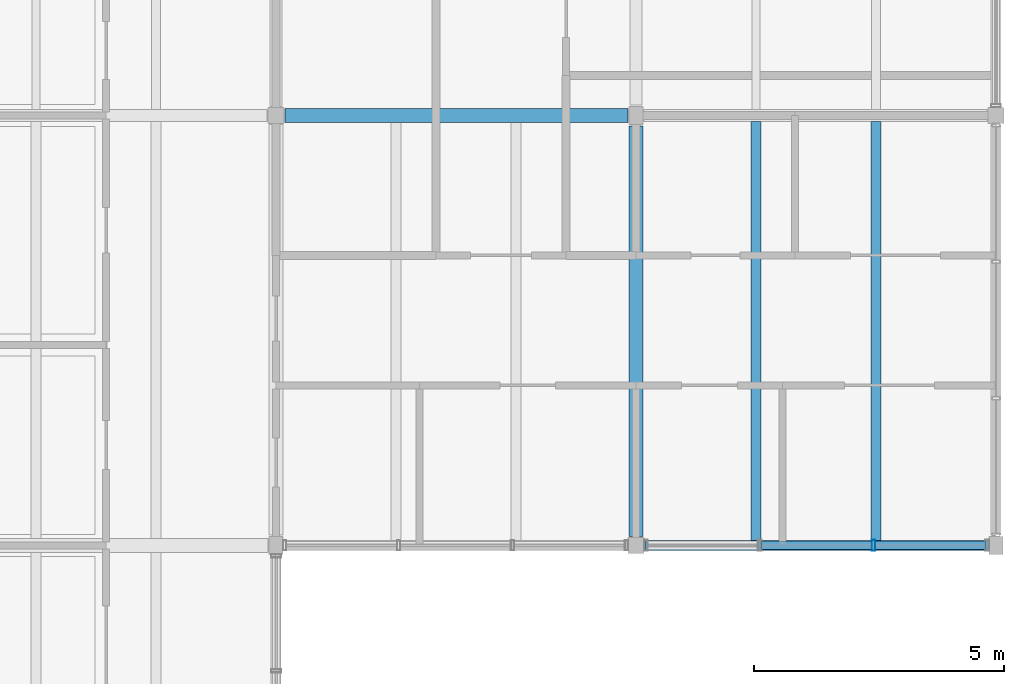
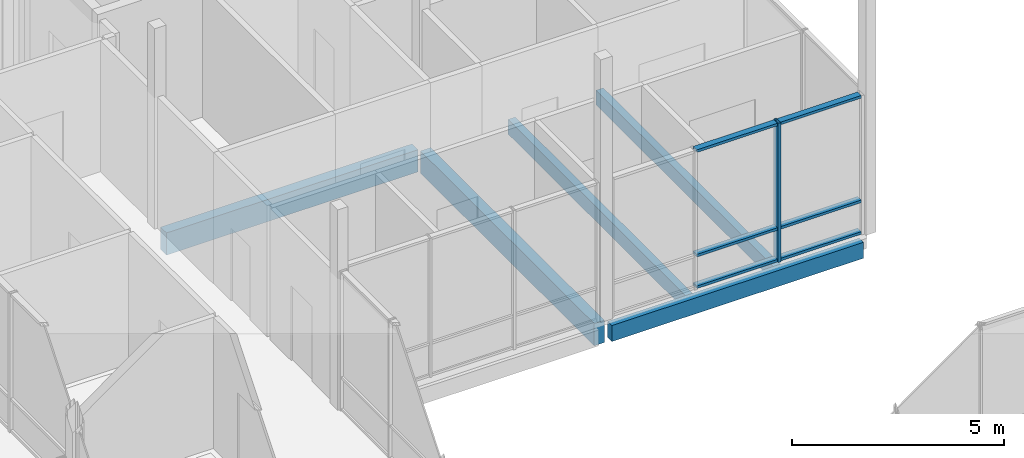
# One storey, part 63 of 115: 7 members, 5 beams, 1 element without a shape of its own.
"""IFC4 building model written with IfcOpenShell, lengths in metres."""

from ifc_helpers import new_model, si_unit, direction, frame, origin, origin_2d, place, context, subcontext, project, spatial, rectangle, hollow_rectangle, extrude, material, material_profile, profile_set, type_object, element, aggregate, save


model = new_model("IFC4")

# Units and contexts
model_context = context("Model", 3, precision=1e-05, world=origin(), true_north=direction((0.0, 1.0)))
body_context = subcontext(model_context, "Body", "Model", "MODEL_VIEW")
ifc_project = project(units=[si_unit("LENGTHUNIT", "METRE"), si_unit("AREAUNIT", "SQUARE_METRE"), si_unit("VOLUMEUNIT", "CUBIC_METRE"), si_unit("PLANEANGLEUNIT", "RADIAN"), si_unit("MASSUNIT", "GRAM", prefix="KILO")], contexts=[model_context])

# Site, building, storey
site_placement = place(None, origin())
site = spatial("IfcSite", under=ifc_project, at=site_placement, CompositionType="ELEMENT")
building_placement = place(site_placement, origin())
building = spatial("IfcBuilding", under=site, at=building_placement, Name="Hawrajan Terrace Health Centre", CompositionType="ELEMENT")
storey_placement = place(building_placement, frame((0.0, 0.0, 9.0)))
storey = spatial("IfcBuildingStorey", under=building, at=storey_placement, Name="L02", CompositionType="ELEMENT", Elevation=9.0)

# Curtain wall, members
ifc_material_1 = material(Name="Anodized bronze aluminium and low-E solar glazing", Category="aluminium")
curtain_wall_type = type_object("IfcCurtainWallType", Name="CW_Hall_SeriesD2", PredefinedType="USERDEFINED", material=ifc_material_1)
curtain_wall_placement = place(storey_placement, origin())
curtain_wall = element("IfcCurtainWall", 1, at=curtain_wall_placement, inside=storey, type_object=curtain_wall_type, Name="Curtain wall CW-L02-155", ObjectType="UNITISED CURTAIN WALL", PredefinedType="USERDEFINED")
ifc_material_2 = material(Name="Anodized bronze aluminium 6063-T6", Category="aluminium")
ifc_material_profile_1 = material_profile(ifc_material_2, hollow_rectangle(XDim=0.074951171875, YDim=0.219970703125, WallThickness=0.0048828125, at=origin_2d()), Name="CW MUL 75x220")
ifc_profile_set_1 = profile_set([ifc_material_profile_1], Name="Anodized bronze aluminium 6063-T6")
member_type_1 = type_object("IfcMemberType", Name="CWMullion_75x220", PredefinedType="MULLION", material=ifc_profile_set_1)
member_1_placement = place(storey_placement, frame((162.947509765625, 36.800048828125, -0.0048828125), z_axis=(0.0, 0.0, 1.0), x_axis=(1.0, 0.0, 0.0)))
member_1 = element("IfcMember", 2, at=member_1_placement, type_object=member_type_1, Name="Mullion CW-L02-155-M3", PredefinedType="MULLION", context=body_context, shape_type="SweptSolid", body=[
    extrude(hollow_rectangle(XDim=0.074951171875, YDim=0.219970703125, WallThickness=0.0048828125, at=origin_2d()), origin(), (0.0, 0.0, 1.0), 4.009765625),
])
ifc_material_profile_2 = material_profile(ifc_material_2, hollow_rectangle(XDim=0.074951171875, YDim=0.169921875, WallThickness=0.00439453125, at=origin_2d()), Name="CW TRN 75x170")
ifc_profile_set_2 = profile_set([ifc_material_profile_2], Name="Anodized bronze aluminium 6063-T6")
member_type_2 = type_object("IfcMemberType", Name="CWTransom_75x170", PredefinedType="USERDEFINED", material=ifc_profile_set_2)
member_2_placement = place(storey_placement, frame((160.7041015625, 36.800048828125, 0.03759765625), z_axis=(1.0, 0.0, 0.0), x_axis=(0.0, 0.0, 1.0)))
member_2 = element("IfcMember", 3, at=member_2_placement, type_object=member_type_2, Name="Transom CW-L02-155-T2-1", ObjectType="TRANSOM", PredefinedType="USERDEFINED", context=body_context, shape_type="SweptSolid", body=[
    extrude(hollow_rectangle(XDim=0.074951171875, YDim=0.169921875, WallThickness=0.00439453125, at=origin_2d()), origin(), (0.0, 0.0, 1.0), 2.2119140625),
])
member_3_placement = place(storey_placement, frame((160.7041015625, 36.800048828125, 0.949951171875), z_axis=(1.0, 0.0, 0.0), x_axis=(0.0, 0.0, 1.0)))
member_3 = element("IfcMember", 4, at=member_3_placement, type_object=member_type_2, Name="Transom CW-L02-155-T2-2", ObjectType="TRANSOM", PredefinedType="USERDEFINED", context=body_context, shape_type="SweptSolid", body=[
    extrude(hollow_rectangle(XDim=0.074951171875, YDim=0.169921875, WallThickness=0.00439453125, at=origin_2d()), origin(), (0.0, 0.0, 1.0), 2.2119140625),
])
member_4_placement = place(storey_placement, frame((160.7041015625, 36.800048828125, 3.96240234375), z_axis=(1.0, 0.0, 0.0), x_axis=(0.0, 0.0, 1.0)))
member_4 = element("IfcMember", 5, at=member_4_placement, type_object=member_type_2, Name="Transom CW-L02-155-T2-3", ObjectType="TRANSOM", PredefinedType="USERDEFINED", context=body_context, shape_type="SweptSolid", body=[
    extrude(hollow_rectangle(XDim=0.074951171875, YDim=0.169921875, WallThickness=0.00439453125, at=origin_2d()), origin(), (0.0, 0.0, 1.0), 2.2119140625),
])
member_5_placement = place(storey_placement, frame((162.97900390625, 36.800048828125, 0.03759765625), z_axis=(1.0, 0.0, 0.0), x_axis=(0.0, 0.0, 1.0)))
member_5 = element("IfcMember", 6, at=member_5_placement, type_object=member_type_2, Name="Transom CW-L02-155-T3-1", ObjectType="TRANSOM", PredefinedType="USERDEFINED", context=body_context, shape_type="SweptSolid", body=[
    extrude(hollow_rectangle(XDim=0.074951171875, YDim=0.169921875, WallThickness=0.00439453125, at=origin_2d()), origin(), (0.0, 0.0, 1.0), 2.2119140625),
])
member_6_placement = place(storey_placement, frame((162.97900390625, 36.800048828125, 0.949951171875), z_axis=(1.0, 0.0, 0.0), x_axis=(0.0, 0.0, 1.0)))
member_6 = element("IfcMember", 7, at=member_6_placement, type_object=member_type_2, Name="Transom CW-L02-155-T3-2", ObjectType="TRANSOM", PredefinedType="USERDEFINED", context=body_context, shape_type="SweptSolid", body=[
    extrude(hollow_rectangle(XDim=0.074951171875, YDim=0.169921875, WallThickness=0.00439453125, at=origin_2d()), origin(), (0.0, 0.0, 1.0), 2.2119140625),
])
member_7_placement = place(storey_placement, frame((162.97900390625, 36.800048828125, 3.96240234375), z_axis=(1.0, 0.0, 0.0), x_axis=(0.0, 0.0, 1.0)))
member_7 = element("IfcMember", 8, at=member_7_placement, type_object=member_type_2, Name="Transom CW-L02-155-T3-3", ObjectType="TRANSOM", PredefinedType="USERDEFINED", context=body_context, shape_type="SweptSolid", body=[
    extrude(hollow_rectangle(XDim=0.074951171875, YDim=0.169921875, WallThickness=0.00439453125, at=origin_2d()), origin(), (0.0, 0.0, 1.0), 2.2119140625),
])
aggregate(curtain_wall, [member_1, member_2, member_3, member_4, member_5, member_6, member_7])

# Beams
ifc_material_3 = material(Name="Glulam GL32h", Category="wood")
ifc_material_profile_3 = material_profile(ifc_material_3, rectangle(XDim=0.280029296875, YDim=0.639892578125, at=origin_2d()), Name="GL BM 280x640")
ifc_profile_set_3 = profile_set([ifc_material_profile_3], Name="Glulam GL32h")
beam_type_1 = type_object("IfcBeamType", Name="GlulamGirder_280x640", PredefinedType="BEAM", material=ifc_profile_set_3)
beam_1_placement = place(storey_placement, frame((151.179931640625, 45.39990234375, -0.56005859375), z_axis=(1.0, 0.0, 0.0), x_axis=(0.0, 1.0, 0.0)))
element("IfcBeam", 9, at=beam_1_placement, inside=storey, type_object=beam_type_1, Name="Beam BM-X-L02-E-20-Y6", PredefinedType="BEAM", context=body_context, shape_type="SweptSolid", body=[
    extrude(rectangle(XDim=0.280029296875, YDim=0.639892578125, at=origin_2d()), origin(), (0.0, 0.0, 1.0), 6.860107421875),
])
beam_2_placement = place(storey_placement, frame((158.199951171875, 36.97998046875, -0.56005859375), z_axis=(0.0, 1.0, 0.0), x_axis=(-1.0, 0.0, 0.0)))
element("IfcBeam", 10, at=beam_2_placement, inside=storey, type_object=beam_type_1, Name="Beam BM-Y-L02-E-X21-5", PredefinedType="BEAM", context=body_context, shape_type="SweptSolid", body=[
    extrude(rectangle(XDim=0.280029296875, YDim=0.639892578125, at=origin_2d()), origin(), (0.0, 0.0, 1.0), 8.2099609375),
])
ifc_material_4 = material(Name="Glulam GL28h", Category="wood")
ifc_material_profile_4 = material_profile(ifc_material_4, rectangle(XDim=0.199951171875, YDim=0.419921875, at=origin_2d()), Name="GL JST 200x420")
ifc_profile_set_4 = profile_set([ifc_material_profile_4], Name="Glulam GL28h")
beam_type_2 = type_object("IfcBeamType", Name="GlulamJoist_200x420", PredefinedType="JOIST", material=ifc_profile_set_4)
for number, where, z_axis, x_axis, name in (
    (11, (160.60009765625, 36.89990234375, -0.449951171875), (0.0, 1.0, 0.0), (-1.0, 0.0, 0.0), "Secondary joist JST-L02-E-21-5-1"),
    (12, (163.0, 36.89990234375, -0.449951171875), (0.0, 1.0, 0.0), (-1.0, 0.0, 0.0), "Secondary joist JST-L02-E-21-5-2"),
):
    element("IfcBeam", number, at=place(storey_placement, frame(where, z_axis=z_axis, x_axis=x_axis)), inside=storey, type_object=beam_type_2, Name=name, PredefinedType="JOIST", context=body_context, shape_type="SweptSolid", body=[
        extrude(rectangle(XDim=0.199951171875, YDim=0.419921875, at=origin_2d()), origin(), (0.0, 0.0, 1.0), 8.380126953125),
    ])
ifc_material_profile_5 = material_profile(ifc_material_3, rectangle(XDim=0.199951171875, YDim=0.4599609375, at=origin_2d()), Name="GL SP 200x460")
ifc_profile_set_5 = profile_set([ifc_material_profile_5], Name="Glulam GL32h")
beam_type_3 = type_object("IfcBeamType", Name="GlulamSpandrel_200x460", PredefinedType="SPANDREL", material=ifc_profile_set_5)
beam_3_placement = place(storey_placement, frame((158.3798828125, 36.800048828125, -0.469970703125), z_axis=(1.0, 0.0, 0.0), x_axis=(0.0, 1.0, 0.0)))
element("IfcBeam", 13, at=beam_3_placement, inside=storey, type_object=beam_type_3, Name="Beam BM-X-L02-E-21-Y5", PredefinedType="SPANDREL", context=body_context, shape_type="SweptSolid", body=[
    extrude(rectangle(XDim=0.199951171875, YDim=0.4599609375, at=origin_2d()), origin(), (0.0, 0.0, 1.0), 6.860107421875),
])

save(model, "model.ifc")
